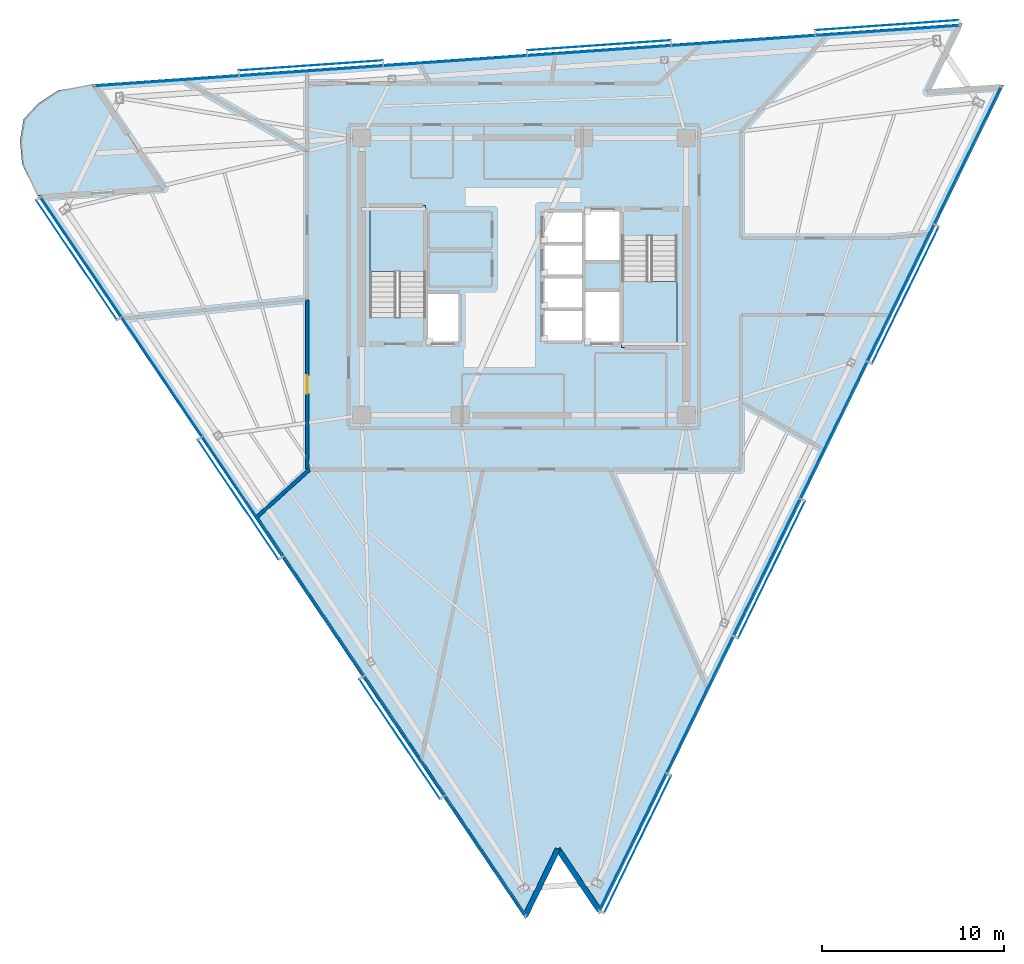
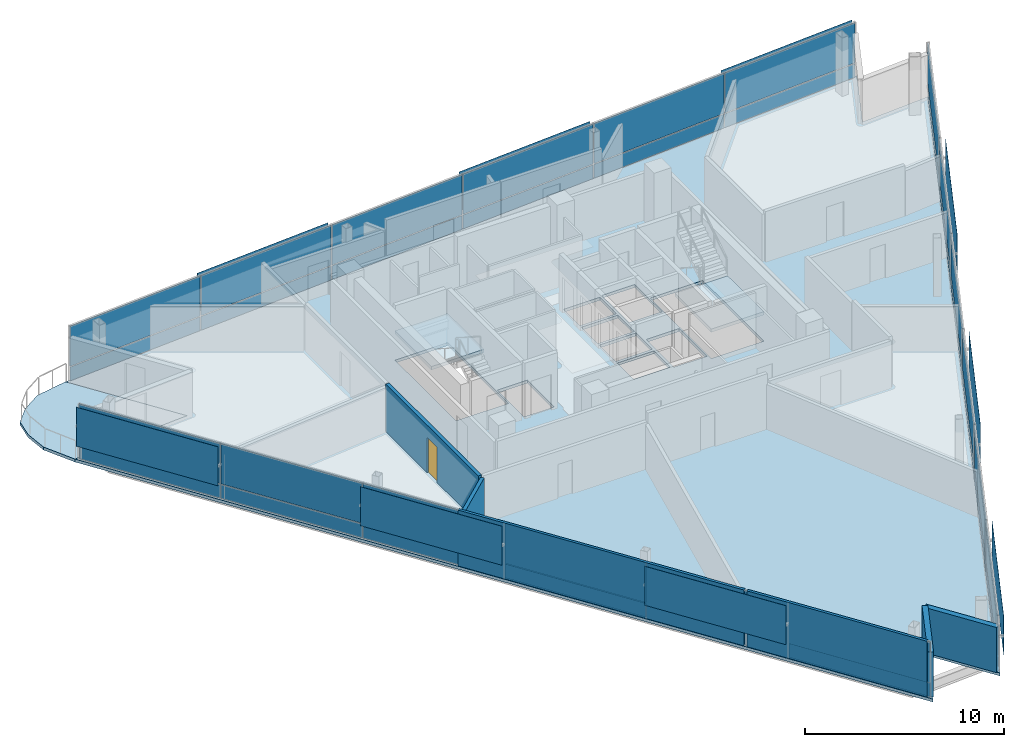
# One storey, part 8 of 16: 45 plates, 6 walls, 4 slabs, 1 door, 1 opening, 5 elements without a shape of their own.
"""IFC4 building model written with IfcOpenShell, lengths in metres."""

from ifc_helpers import new_model, si_unit, direction, frame, frame_2d, origin, origin_2d, place, context, subcontext, project, spatial, polyline, rectangle, outline, extrude, material, layer, layer_set, type_object, element, fill, aggregate, save


model = new_model("IFC4")

# Units and contexts
model_context = context("Model", 3, precision=1e-05, world=origin(), true_north=direction((0.0, 1.0)))
body_context = subcontext(model_context, "Body", "Model", "MODEL_VIEW")
ifc_project = project(units=[si_unit("LENGTHUNIT", "METRE"), si_unit("AREAUNIT", "SQUARE_METRE"), si_unit("VOLUMEUNIT", "CUBIC_METRE"), si_unit("PLANEANGLEUNIT", "RADIAN"), si_unit("MASSUNIT", "GRAM", prefix="KILO")], contexts=[model_context])

# Site, building, storey
site_placement = place(None, origin())
site = spatial("IfcSite", under=ifc_project, at=site_placement, CompositionType="ELEMENT")
building_placement = place(site_placement, origin())
building = spatial("IfcBuilding", under=site, at=building_placement, Name="Tharavind Bronze Gate", CompositionType="ELEMENT")
storey_placement = place(building_placement, frame((0.0, 0.0, 260.60009765625)))
storey = spatial("IfcBuildingStorey", under=building, at=storey_placement, Name="L67", CompositionType="ELEMENT", Elevation=260.60009765625)

# Plates
ifc_material_1 = material(Name="Perforated Bronze Alloy", Category="bronze")
ifc_layer_1 = layer(ifc_material_1, 0.011962890625)
ifc_layer_set_1 = layer_set([ifc_layer_1], Name="Perforated Bronze Alloy")
plate_type_1 = type_object("IfcPlateType", Name="BRONZE PERFORATED SOLAR SCREEN", PredefinedType="USERDEFINED", material=ifc_layer_set_1)
for number, where, z_axis, x_axis, name in (
    (1, (-24.528076171875, 0.904052734375, 0.96630859375), (0.0, 0.0, 1.0), (0.559191456526, -0.82903854853, 0.0), "CW-L67-S1 perforated bronze solar screen 1"),
    (2, (-15.670166015625, -12.228515625, 0.96630859375), (0.0, 0.0, 1.0), (0.559191456526, -0.82903854853, 0.0), "CW-L67-S1 perforated bronze solar screen 3"),
    (3, (-6.812255859375, -25.361083984375, 0.96630859375), (0.0, 0.0, 1.0), (0.559191456526, -0.82903854853, 0.0), "CW-L67-S1 perforated bronze solar screen 5"),
):
    element("IfcPlate", number, at=place(storey_placement, frame(where, z_axis=z_axis, x_axis=x_axis)), inside=storey, type_object=plate_type_1, Name=name, ObjectType="SCREEN", PredefinedType="USERDEFINED", context=body_context, shape_type="SweptSolid", body=[
        extrude(rectangle(XDim=7.900390625, YDim=0.011962890625, at=origin_2d()), origin(), (0.0, 0.0, 1.0), 2.386962890625),
    ])
for number, where, z_axis, x_axis, name in (
    (4, (6.234130859375, -31.12841796875, 0.96630859375), (0.0, 0.0, 1.0), (0.43837271548, 0.898793281196, 0.0), "CW-L67-S2 perforated bronze solar screen 1"),
    (5, (13.57470703125, -16.078369140625, 0.96630859375), (0.0, 0.0, 1.0), (0.43837271548, 0.898793281196, 0.0), "CW-L67-S2 perforated bronze solar screen 3"),
    (6, (20.9150390625, -1.0283203125, 0.96630859375), (0.0, 0.0, 1.0), (0.43837271548, 0.898793281196, 0.0), "CW-L67-S2 perforated bronze solar screen 5"),
):
    element("IfcPlate", number, at=place(storey_placement, frame(where, z_axis=z_axis, x_axis=x_axis)), inside=storey, type_object=plate_type_1, Name=name, ObjectType="SCREEN", PredefinedType="USERDEFINED", context=body_context, shape_type="SweptSolid", body=[
        extrude(rectangle(XDim=8.352294921875, YDim=0.011962890625, at=origin_2d()), origin(), (0.0, 0.0, 1.0), 2.386962890625),
    ])
for number, where, z_axis, x_axis, name in (
    (7, (19.909423828125, 13.779052734375, 0.96630859375), (0.0, 0.0, 1.0), (-0.997563806758, -0.069759955899, 0.0), "CW-L67-S3 perforated bronze solar screen 1"),
    (8, (4.107421875, 12.674072265625, 0.96630859375), (0.0, 0.0, 1.0), (-0.997563806758, -0.069759955899, 0.0), "CW-L67-S3 perforated bronze solar screen 3"),
    (9, (-11.69482421875, 11.569091796875, 0.96630859375), (0.0, 0.0, 1.0), (-0.997563806758, -0.069759955899, 0.0), "CW-L67-S3 perforated bronze solar screen 5"),
):
    element("IfcPlate", number, at=place(storey_placement, frame(where, z_axis=z_axis, x_axis=x_axis)), inside=storey, type_object=plate_type_1, Name=name, ObjectType="SCREEN", PredefinedType="USERDEFINED", context=body_context, shape_type="SweptSolid", body=[
        extrude(rectangle(XDim=7.900390625, YDim=0.011962890625, at=origin_2d()), origin(), (0.0, 0.0, 1.0), 2.386962890625),
    ])

# Curtain wall, plates
ifc_material_2 = material(Name="Anodised Bronze Aluminium", Category="aluminium")
ifc_layer_2 = layer(ifc_material_2, 0.219970703125)
ifc_layer_set_2 = layer_set([ifc_layer_2], Name="Anodised Bronze Aluminium")
curtain_wall_type = type_object("IfcCurtainWallType", Name="UNITISED CURTAIN WALL UPPER OFFICE", PredefinedType="USERDEFINED", material=ifc_layer_set_2)
curtain_wall_1_placement = place(storey_placement, origin())
curtain_wall_1 = element("IfcCurtainWall", 10, at=curtain_wall_1_placement, inside=storey, type_object=curtain_wall_type, Name="L67 unitised curtain wall upper office CW-L67-S1", ObjectType="UNITISED CURTAIN WALL", PredefinedType="USERDEFINED")
ifc_material_3 = material(Name="Patinated Bronze Alloy Sheet", Category="bronze")
ifc_layer_3 = layer(ifc_material_3, 0.01611328125)
ifc_layer_set_3 = layer_set([ifc_layer_3], Name="Patinated Bronze Alloy Sheet")
plate_type_2 = type_object("IfcPlateType", Name="BRONZE SPANDREL CLADDING PANEL 16", PredefinedType="CURTAIN_PANEL", material=ifc_layer_set_3)
plate_1_placement = place(storey_placement, frame((-24.283447265625, 1.069091796875, 0.0263671875), z_axis=(0.0, 0.0, 1.0), x_axis=(0.559191456526, -0.82903854853, 0.0)))
plate_1 = element("IfcPlate", 11, at=plate_1_placement, type_object=plate_type_2, Name="CW-L67-S1 bronze spandrel panel 1", PredefinedType="CURTAIN_PANEL", context=body_context, shape_type="SweptSolid", body=[
    extrude(rectangle(XDim=7.8671875, YDim=0.01611328125, at=origin_2d()), origin(), (0.0, 0.0, 1.0), 0.846923828125),
])
plate_2_placement = place(storey_placement, frame((-19.8544921875, -5.497314453125, 0.0263671875), z_axis=(0.0, 0.0, 1.0), x_axis=(0.559191456526, -0.82903854853, 0.0)))
plate_2 = element("IfcPlate", 12, at=plate_2_placement, type_object=plate_type_2, Name="CW-L67-S1 bronze spandrel panel 2", PredefinedType="CURTAIN_PANEL", context=body_context, shape_type="SweptSolid", body=[
    extrude(rectangle(XDim=7.8671875, YDim=0.01611328125, at=origin_2d()), origin(), (0.0, 0.0, 1.0), 0.846923828125),
])
plate_3_placement = place(storey_placement, frame((-15.425537109375, -12.0634765625, 0.0263671875), z_axis=(0.0, 0.0, 1.0), x_axis=(0.559191456526, -0.82903854853, 0.0)))
plate_3 = element("IfcPlate", 13, at=plate_3_placement, type_object=plate_type_2, Name="CW-L67-S1 bronze spandrel panel 3", PredefinedType="CURTAIN_PANEL", context=body_context, shape_type="SweptSolid", body=[
    extrude(rectangle(XDim=7.8671875, YDim=0.01611328125, at=origin_2d()), origin(), (0.0, 0.0, 1.0), 0.846923828125),
])
plate_4_placement = place(storey_placement, frame((-10.99658203125, -18.629638671875, 0.0263671875), z_axis=(0.0, 0.0, 1.0), x_axis=(0.559191456526, -0.82903854853, 0.0)))
plate_4 = element("IfcPlate", 14, at=plate_4_placement, type_object=plate_type_2, Name="CW-L67-S1 bronze spandrel panel 4", PredefinedType="CURTAIN_PANEL", context=body_context, shape_type="SweptSolid", body=[
    extrude(rectangle(XDim=7.8671875, YDim=0.01611328125, at=origin_2d()), origin(), (0.0, 0.0, 1.0), 0.846923828125),
])
plate_5_placement = place(storey_placement, frame((-6.567626953125, -25.196044921875, 0.0263671875), z_axis=(0.0, 0.0, 1.0), x_axis=(0.559191456526, -0.82903854853, 0.0)))
plate_5 = element("IfcPlate", 15, at=plate_5_placement, type_object=plate_type_2, Name="CW-L67-S1 bronze spandrel panel 5", PredefinedType="CURTAIN_PANEL", context=body_context, shape_type="SweptSolid", body=[
    extrude(rectangle(XDim=7.8671875, YDim=0.01611328125, at=origin_2d()), origin(), (0.0, 0.0, 1.0), 0.846923828125),
])
plate_6_placement = place(storey_placement, frame((-2.138671875, -31.76220703125, 0.0263671875), z_axis=(0.0, 0.0, 1.0), x_axis=(0.559191456526, -0.82903854853, 0.0)))
plate_6 = element("IfcPlate", 16, at=plate_6_placement, type_object=plate_type_2, Name="CW-L67-S1 bronze spandrel panel 6", PredefinedType="CURTAIN_PANEL", context=body_context, shape_type="SweptSolid", body=[
    extrude(rectangle(XDim=7.8671875, YDim=0.01611328125, at=origin_2d()), origin(), (0.0, 0.0, 1.0), 0.846923828125),
])

curtain_wall_2_placement = place(storey_placement, origin())
curtain_wall_2 = element("IfcCurtainWall", 17, at=curtain_wall_2_placement, inside=storey, type_object=curtain_wall_type, Name="L67 unitised curtain wall upper office CW-L67-S2", ObjectType="UNITISED CURTAIN WALL", PredefinedType="USERDEFINED")
plate_7_placement = place(storey_placement, frame((5.968994140625, -30.9990234375, 0.0263671875), z_axis=(0.0, 0.0, 1.0), x_axis=(0.43837271548, 0.898793281196, 0.0)))
plate_7 = element("IfcPlate", 18, at=plate_7_placement, type_object=plate_type_2, Name="CW-L67-S2 bronze spandrel panel 1", PredefinedType="CURTAIN_PANEL", context=body_context, shape_type="SweptSolid", body=[
    extrude(rectangle(XDim=8.3193359375, YDim=0.01611328125, at=origin_2d()), origin(), (0.0, 0.0, 1.0), 0.846923828125),
])
plate_8_placement = place(storey_placement, frame((9.639404296875, -23.47412109375, 0.0263671875), z_axis=(0.0, 0.0, 1.0), x_axis=(0.43837271548, 0.898793281196, 0.0)))
plate_8 = element("IfcPlate", 19, at=plate_8_placement, type_object=plate_type_2, Name="CW-L67-S2 bronze spandrel panel 2", PredefinedType="CURTAIN_PANEL", context=body_context, shape_type="SweptSolid", body=[
    extrude(rectangle(XDim=8.3193359375, YDim=0.01611328125, at=origin_2d()), origin(), (0.0, 0.0, 1.0), 0.846923828125),
])
plate_9_placement = place(storey_placement, frame((13.3095703125, -15.94921875, 0.0263671875), z_axis=(0.0, 0.0, 1.0), x_axis=(0.43837271548, 0.898793281196, 0.0)))
plate_9 = element("IfcPlate", 20, at=plate_9_placement, type_object=plate_type_2, Name="CW-L67-S2 bronze spandrel panel 3", PredefinedType="CURTAIN_PANEL", context=body_context, shape_type="SweptSolid", body=[
    extrude(rectangle(XDim=8.3193359375, YDim=0.01611328125, at=origin_2d()), origin(), (0.0, 0.0, 1.0), 0.846923828125),
])
plate_10_placement = place(storey_placement, frame((16.979736328125, -8.424072265625, 0.0263671875), z_axis=(0.0, 0.0, 1.0), x_axis=(0.43837271548, 0.898793281196, 0.0)))
plate_10 = element("IfcPlate", 21, at=plate_10_placement, type_object=plate_type_2, Name="CW-L67-S2 bronze spandrel panel 4", PredefinedType="CURTAIN_PANEL", context=body_context, shape_type="SweptSolid", body=[
    extrude(rectangle(XDim=8.3193359375, YDim=0.01611328125, at=origin_2d()), origin(), (0.0, 0.0, 1.0), 0.846923828125),
])
plate_11_placement = place(storey_placement, frame((20.64990234375, -0.89892578125, 0.0263671875), z_axis=(0.0, 0.0, 1.0), x_axis=(0.43837271548, 0.898793281196, 0.0)))
plate_11 = element("IfcPlate", 22, at=plate_11_placement, type_object=plate_type_2, Name="CW-L67-S2 bronze spandrel panel 5", PredefinedType="CURTAIN_PANEL", context=body_context, shape_type="SweptSolid", body=[
    extrude(rectangle(XDim=8.3193359375, YDim=0.01611328125, at=origin_2d()), origin(), (0.0, 0.0, 1.0), 0.846923828125),
])
plate_12_placement = place(storey_placement, frame((24.3203125, 6.6259765625, 0.0263671875), z_axis=(0.0, 0.0, 1.0), x_axis=(0.43837271548, 0.898793281196, 0.0)))
plate_12 = element("IfcPlate", 23, at=plate_12_placement, type_object=plate_type_2, Name="CW-L67-S2 bronze spandrel panel 6", PredefinedType="CURTAIN_PANEL", context=body_context, shape_type="SweptSolid", body=[
    extrude(rectangle(XDim=8.3193359375, YDim=0.01611328125, at=origin_2d()), origin(), (0.0, 0.0, 1.0), 0.846923828125),
])

curtain_wall_3_placement = place(storey_placement, origin())
curtain_wall_3 = element("IfcCurtainWall", 24, at=curtain_wall_3_placement, inside=storey, type_object=curtain_wall_type, Name="L67 unitised curtain wall upper office CW-L67-S3", ObjectType="UNITISED CURTAIN WALL", PredefinedType="USERDEFINED")
plate_13_placement = place(storey_placement, frame((19.929931640625, 13.48486328125, 0.0263671875), z_axis=(0.0, 0.0, 1.0), x_axis=(-0.997563806758, -0.069759955899, 0.0)))
plate_13 = element("IfcPlate", 25, at=plate_13_placement, type_object=plate_type_2, Name="CW-L67-S3 bronze spandrel panel 1", PredefinedType="CURTAIN_PANEL", context=body_context, shape_type="SweptSolid", body=[
    extrude(rectangle(XDim=7.8671875, YDim=0.01611328125, at=origin_2d()), origin(), (0.0, 0.0, 1.0), 0.846923828125),
])
plate_14_placement = place(storey_placement, frame((12.02880859375, 12.932373046875, 0.0263671875), z_axis=(0.0, 0.0, 1.0), x_axis=(-0.997563806758, -0.069759955899, 0.0)))
plate_14 = element("IfcPlate", 26, at=plate_14_placement, type_object=plate_type_2, Name="CW-L67-S3 bronze spandrel panel 2", PredefinedType="CURTAIN_PANEL", context=body_context, shape_type="SweptSolid", body=[
    extrude(rectangle(XDim=7.8671875, YDim=0.01611328125, at=origin_2d()), origin(), (0.0, 0.0, 1.0), 0.846923828125),
])
plate_15_placement = place(storey_placement, frame((4.1279296875, 12.3798828125, 0.0263671875), z_axis=(0.0, 0.0, 1.0), x_axis=(-0.997563806758, -0.069759955899, 0.0)))
plate_15 = element("IfcPlate", 27, at=plate_15_placement, type_object=plate_type_2, Name="CW-L67-S3 bronze spandrel panel 3", PredefinedType="CURTAIN_PANEL", context=body_context, shape_type="SweptSolid", body=[
    extrude(rectangle(XDim=7.8671875, YDim=0.01611328125, at=origin_2d()), origin(), (0.0, 0.0, 1.0), 0.846923828125),
])
plate_16_placement = place(storey_placement, frame((-3.773193359375, 11.827392578125, 0.0263671875), z_axis=(0.0, 0.0, 1.0), x_axis=(-0.997563806758, -0.069759955899, 0.0)))
plate_16 = element("IfcPlate", 28, at=plate_16_placement, type_object=plate_type_2, Name="CW-L67-S3 bronze spandrel panel 4", PredefinedType="CURTAIN_PANEL", context=body_context, shape_type="SweptSolid", body=[
    extrude(rectangle(XDim=7.8671875, YDim=0.01611328125, at=origin_2d()), origin(), (0.0, 0.0, 1.0), 0.846923828125),
])
plate_17_placement = place(storey_placement, frame((-11.67431640625, 11.27490234375, 0.0263671875), z_axis=(0.0, 0.0, 1.0), x_axis=(-0.997563806758, -0.069759955899, 0.0)))
plate_17 = element("IfcPlate", 29, at=plate_17_placement, type_object=plate_type_2, Name="CW-L67-S3 bronze spandrel panel 5", PredefinedType="CURTAIN_PANEL", context=body_context, shape_type="SweptSolid", body=[
    extrude(rectangle(XDim=7.8671875, YDim=0.01611328125, at=origin_2d()), origin(), (0.0, 0.0, 1.0), 0.846923828125),
])
plate_18_placement = place(storey_placement, frame((-19.5751953125, 10.722412109375, 0.0263671875), z_axis=(0.0, 0.0, 1.0), x_axis=(-0.997563806758, -0.069759955899, 0.0)))
plate_18 = element("IfcPlate", 30, at=plate_18_placement, type_object=plate_type_2, Name="CW-L67-S3 bronze spandrel panel 6", PredefinedType="CURTAIN_PANEL", context=body_context, shape_type="SweptSolid", body=[
    extrude(rectangle(XDim=7.8671875, YDim=0.01611328125, at=origin_2d()), origin(), (0.0, 0.0, 1.0), 0.846923828125),
])

# Slab
ifc_material_4 = material(Name="Concrete C40/50", Category="concrete")
ifc_layer_4 = layer(ifc_material_4, 0.179931640625)
ifc_layer_set_4 = layer_set([ifc_layer_4], Name="Concrete C40/50")
slab_type_1 = type_object("IfcSlabType", Name="EXTERIOR BALCONY SLAB 180", PredefinedType="FLOOR", material=ifc_layer_set_4)
slab_1_placement = place(storey_placement, frame((0.0, 0.0, -0.18017578125)))
element("IfcSlab", 31, at=slab_1_placement, inside=storey, type_object=slab_type_1, Name="L67 northeast tree balcony slab", PredefinedType="FLOOR", context=body_context, shape_type="SweptSolid", body=[
    extrude(outline(polyline([(-25.535888671875, 10.203125), (-26.644287109375, 9.48681640625), (-27.443359375, 8.618896484375), (-27.63525390625, 7.455322265625), (-27.51708984375, 6.140625), (-26.677734375, 4.43994140625), (-19.914306640625, 4.912841796875), (-23.70556640625, 10.53369140625), (-25.535888671875, 10.203125)])), origin(), (0.0, 0.0, 1.0), 0.18017578125),
])

# Stair, slab
stair_type = type_object("IfcStairType", Name="CORE HALF TURN STAIR 1450", PredefinedType="HALF_TURN_STAIR", material=ifc_material_4)
stair_1_placement = place(storey_placement, origin())
stair_1 = element("IfcStair", 32, at=stair_1_placement, inside=storey, type_object=stair_type, Name="L67 Protected Exit Stair ST1", PredefinedType="HALF_TURN_STAIR")
ifc_layer_5 = layer(ifc_material_4, 0.199951171875)
ifc_layer_set_5 = layer_set([ifc_layer_5], Name="Concrete C40/50")
slab_type_2 = type_object("IfcSlabType", Name="STAIR LANDING SLAB 200", PredefinedType="LANDING", material=ifc_layer_set_5)
slab_2_placement = place(storey_placement, frame((0.0, 0.0, 1.599853515625)))
slab_2 = element("IfcSlab", 33, at=slab_2_placement, type_object=slab_type_2, Name="ST1 landing 1", PredefinedType="LANDING", context=body_context, shape_type="SweptSolid", body=[
    extrude(outline(polyline([(-5.39990234375, 0.27001953125), (-5.39990234375, 3.89990234375), (-8.449951171875, 3.89990234375), (-8.449951171875, 0.27001953125), (-5.39990234375, 0.27001953125)])), origin(), (0.0, 0.0, 1.0), 0.199951171875),
])
aggregate(stair_1, [slab_2])

stair_2_placement = place(storey_placement, origin())
stair_2 = element("IfcStair", 34, at=stair_2_placement, inside=storey, type_object=stair_type, Name="L67 Protected Exit Stair ST2", PredefinedType="HALF_TURN_STAIR")
slab_3_placement = place(storey_placement, frame((0.0, 0.0, 1.599853515625)))
slab_3 = element("IfcSlab", 35, at=slab_3_placement, type_object=slab_type_2, Name="ST2 landing 1", PredefinedType="LANDING", context=body_context, shape_type="SweptSolid", body=[
    extrude(outline(polyline([(5.35009765625, -0.27001953125), (5.35009765625, -3.89990234375), (8.39990234375, -3.89990234375), (8.39990234375, -0.27001953125), (5.35009765625, -0.27001953125)])), origin(), (0.0, 0.0, 1.0), 0.199951171875),
])
aggregate(stair_2, [slab_3])

# Slab
ifc_layer_6 = layer(ifc_material_4, 0.179931640625)
ifc_layer_set_6 = layer_set([ifc_layer_6], Name="Concrete C40/50")
slab_type_3 = type_object("IfcSlabType", Name="STRUCTURAL FLOOR SLAB 180", PredefinedType="FLOOR", material=ifc_layer_set_6)
slab_4_placement = place(storey_placement, frame((0.0, 0.0, -0.18017578125)))
element("IfcSlab", 36, at=slab_4_placement, inside=storey, type_object=slab_type_3, Name="L67 main structural floor slab", PredefinedType="FLOOR", context=body_context, shape_type="SweptSolid", body=[
    extrude(outline(polyline([(-23.70556640625, 10.53369140625), (-19.914306640625, 4.912841796875), (-26.677734375, 4.43994140625), (0.08984375, -35.244873046875), (1.873291015625, -31.588623046875), (4.14794921875, -34.961181640625), (26.321044921875, 10.500244140625), (22.262939453125, 10.216552734375), (24.04638671875, 13.872802734375), (-23.70556640625, 10.53369140625)]), holes=[polyline([(-5.39990234375, -2.215087890625), (-5.39990234375, 3.89990234375), (-8.449951171875, 3.89990234375), (-8.449951171875, -2.215087890625), (-5.39990234375, -2.215087890625)]), polyline([(5.35009765625, 2.215087890625), (5.35009765625, -3.89990234375), (8.39990234375, -3.89990234375), (8.39990234375, 2.215087890625), (5.35009765625, 2.215087890625)]), polyline([(1.080078125, -3.52001953125), (3.199951171875, -3.52001953125), (3.199951171875, -1.8798828125), (1.080078125, -1.8798828125), (1.080078125, -3.52001953125)]), polyline([(1.080078125, -1.719970703125), (3.199951171875, -1.719970703125), (3.199951171875, -0.080078125), (1.080078125, -0.080078125), (1.080078125, -1.719970703125)]), polyline([(1.080078125, 0.080078125), (3.199951171875, 0.080078125), (3.199951171875, 1.719970703125), (1.080078125, 1.719970703125), (1.080078125, 0.080078125)]), polyline([(1.080078125, 1.8798828125), (3.199951171875, 1.8798828125), (3.199951171875, 3.52001953125), (1.080078125, 3.52001953125), (1.080078125, 1.8798828125)]), polyline([(-5.320068359375, -3.6201171875), (-3.580078125, -3.6201171875), (-3.580078125, -0.929931640625), (-5.320068359375, -0.929931640625), (-5.320068359375, -3.6201171875)]), polyline([(3.360107421875, 0.8798828125), (5.27001953125, 0.8798828125), (5.27001953125, 3.6201171875), (3.360107421875, 3.6201171875), (3.360107421875, 0.8798828125)]), polyline([(3.360107421875, -3.6201171875), (5.27001953125, -3.6201171875), (5.27001953125, -0.830078125), (3.360107421875, -0.830078125), (3.360107421875, -3.6201171875)])]), origin(), (0.0, 0.0, 1.0), 0.18017578125),
])

# Plate
ifc_material_5 = material(Name="Triple Solar Control Glazing", Category="glass")
ifc_layer_7 = layer(ifc_material_5, 0.0439453125)
ifc_layer_set_7 = layer_set([ifc_layer_7], Name="Triple Solar Control Glazing")
plate_type_3 = type_object("IfcPlateType", Name="TRIPLE GLAZED FACADE PANEL 44", PredefinedType="CURTAIN_PANEL", material=ifc_layer_set_7)
plate_19_placement = place(storey_placement, frame((-24.283447265625, 1.069091796875, 0.92626953125), z_axis=(0.0, 0.0, 1.0), x_axis=(0.559191456526, -0.82903854853, 0.0)))
plate_19 = element("IfcPlate", 37, at=plate_19_placement, type_object=plate_type_3, Name="CW-L67-S1 vision glazing panel 1", PredefinedType="CURTAIN_PANEL", context=body_context, shape_type="SweptSolid", body=[
    extrude(rectangle(XDim=7.8671875, YDim=0.0439453125, at=origin_2d()), origin(), (0.0, 0.0, 1.0), 2.467041015625),
])

plate_20_placement = place(storey_placement, frame((-19.8544921875, -5.497314453125, 0.92626953125), z_axis=(0.0, 0.0, 1.0), x_axis=(0.559191456526, -0.82903854853, 0.0)))
plate_20 = element("IfcPlate", 38, at=plate_20_placement, type_object=plate_type_3, Name="CW-L67-S1 vision glazing panel 2", PredefinedType="CURTAIN_PANEL", context=body_context, shape_type="SweptSolid", body=[
    extrude(rectangle(XDim=7.8671875, YDim=0.0439453125, at=origin_2d()), origin(), (0.0, 0.0, 1.0), 2.467041015625),
])

plate_21_placement = place(storey_placement, frame((-15.425537109375, -12.0634765625, 0.92626953125), z_axis=(0.0, 0.0, 1.0), x_axis=(0.559191456526, -0.82903854853, 0.0)))
plate_21 = element("IfcPlate", 39, at=plate_21_placement, type_object=plate_type_3, Name="CW-L67-S1 vision glazing panel 3", PredefinedType="CURTAIN_PANEL", context=body_context, shape_type="SweptSolid", body=[
    extrude(rectangle(XDim=7.8671875, YDim=0.0439453125, at=origin_2d()), origin(), (0.0, 0.0, 1.0), 2.467041015625),
])

plate_22_placement = place(storey_placement, frame((-10.99658203125, -18.629638671875, 0.92626953125), z_axis=(0.0, 0.0, 1.0), x_axis=(0.559191456526, -0.82903854853, 0.0)))
plate_22 = element("IfcPlate", 40, at=plate_22_placement, type_object=plate_type_3, Name="CW-L67-S1 vision glazing panel 4", PredefinedType="CURTAIN_PANEL", context=body_context, shape_type="SweptSolid", body=[
    extrude(rectangle(XDim=7.8671875, YDim=0.0439453125, at=origin_2d()), origin(), (0.0, 0.0, 1.0), 2.467041015625),
])

plate_23_placement = place(storey_placement, frame((-6.567626953125, -25.196044921875, 0.92626953125), z_axis=(0.0, 0.0, 1.0), x_axis=(0.559191456526, -0.82903854853, 0.0)))
plate_23 = element("IfcPlate", 41, at=plate_23_placement, type_object=plate_type_3, Name="CW-L67-S1 vision glazing panel 5", PredefinedType="CURTAIN_PANEL", context=body_context, shape_type="SweptSolid", body=[
    extrude(rectangle(XDim=7.8671875, YDim=0.0439453125, at=origin_2d()), origin(), (0.0, 0.0, 1.0), 2.467041015625),
])

plate_24_placement = place(storey_placement, frame((-2.138671875, -31.76220703125, 0.92626953125), z_axis=(0.0, 0.0, 1.0), x_axis=(0.559191456526, -0.82903854853, 0.0)))
plate_24 = element("IfcPlate", 42, at=plate_24_placement, type_object=plate_type_3, Name="CW-L67-S1 vision glazing panel 6", PredefinedType="CURTAIN_PANEL", context=body_context, shape_type="SweptSolid", body=[
    extrude(rectangle(XDim=7.8671875, YDim=0.0439453125, at=origin_2d()), origin(), (0.0, 0.0, 1.0), 2.467041015625),
])

aggregate(curtain_wall_1, [plate_1, plate_19, plate_2, plate_20, plate_3, plate_21, plate_4, plate_22, plate_5, plate_23, plate_6, plate_24])

plate_25_placement = place(storey_placement, frame((5.968994140625, -30.9990234375, 0.92626953125), z_axis=(0.0, 0.0, 1.0), x_axis=(0.43837271548, 0.898793281196, 0.0)))
plate_25 = element("IfcPlate", 43, at=plate_25_placement, type_object=plate_type_3, Name="CW-L67-S2 vision glazing panel 1", PredefinedType="CURTAIN_PANEL", context=body_context, shape_type="SweptSolid", body=[
    extrude(rectangle(XDim=8.3193359375, YDim=0.0439453125, at=origin_2d()), origin(), (0.0, 0.0, 1.0), 2.467041015625),
])

plate_26_placement = place(storey_placement, frame((9.639404296875, -23.47412109375, 0.92626953125), z_axis=(0.0, 0.0, 1.0), x_axis=(0.43837271548, 0.898793281196, 0.0)))
plate_26 = element("IfcPlate", 44, at=plate_26_placement, type_object=plate_type_3, Name="CW-L67-S2 vision glazing panel 2", PredefinedType="CURTAIN_PANEL", context=body_context, shape_type="SweptSolid", body=[
    extrude(rectangle(XDim=8.3193359375, YDim=0.0439453125, at=origin_2d()), origin(), (0.0, 0.0, 1.0), 2.467041015625),
])

plate_27_placement = place(storey_placement, frame((13.3095703125, -15.94921875, 0.92626953125), z_axis=(0.0, 0.0, 1.0), x_axis=(0.43837271548, 0.898793281196, 0.0)))
plate_27 = element("IfcPlate", 45, at=plate_27_placement, type_object=plate_type_3, Name="CW-L67-S2 vision glazing panel 3", PredefinedType="CURTAIN_PANEL", context=body_context, shape_type="SweptSolid", body=[
    extrude(rectangle(XDim=8.3193359375, YDim=0.0439453125, at=origin_2d()), origin(), (0.0, 0.0, 1.0), 2.467041015625),
])

plate_28_placement = place(storey_placement, frame((16.979736328125, -8.424072265625, 0.92626953125), z_axis=(0.0, 0.0, 1.0), x_axis=(0.43837271548, 0.898793281196, 0.0)))
plate_28 = element("IfcPlate", 46, at=plate_28_placement, type_object=plate_type_3, Name="CW-L67-S2 vision glazing panel 4", PredefinedType="CURTAIN_PANEL", context=body_context, shape_type="SweptSolid", body=[
    extrude(rectangle(XDim=8.3193359375, YDim=0.0439453125, at=origin_2d()), origin(), (0.0, 0.0, 1.0), 2.467041015625),
])

plate_29_placement = place(storey_placement, frame((20.64990234375, -0.89892578125, 0.92626953125), z_axis=(0.0, 0.0, 1.0), x_axis=(0.43837271548, 0.898793281196, 0.0)))
plate_29 = element("IfcPlate", 47, at=plate_29_placement, type_object=plate_type_3, Name="CW-L67-S2 vision glazing panel 5", PredefinedType="CURTAIN_PANEL", context=body_context, shape_type="SweptSolid", body=[
    extrude(rectangle(XDim=8.3193359375, YDim=0.0439453125, at=origin_2d()), origin(), (0.0, 0.0, 1.0), 2.467041015625),
])

plate_30_placement = place(storey_placement, frame((24.3203125, 6.6259765625, 0.92626953125), z_axis=(0.0, 0.0, 1.0), x_axis=(0.43837271548, 0.898793281196, 0.0)))
plate_30 = element("IfcPlate", 48, at=plate_30_placement, type_object=plate_type_3, Name="CW-L67-S2 vision glazing panel 6", PredefinedType="CURTAIN_PANEL", context=body_context, shape_type="SweptSolid", body=[
    extrude(rectangle(XDim=8.3193359375, YDim=0.0439453125, at=origin_2d()), origin(), (0.0, 0.0, 1.0), 2.467041015625),
])

aggregate(curtain_wall_2, [plate_7, plate_25, plate_8, plate_26, plate_9, plate_27, plate_10, plate_28, plate_11, plate_29, plate_12, plate_30])

plate_31_placement = place(storey_placement, frame((19.929931640625, 13.48486328125, 0.92626953125), z_axis=(0.0, 0.0, 1.0), x_axis=(-0.997563806758, -0.069759955899, 0.0)))
plate_31 = element("IfcPlate", 49, at=plate_31_placement, type_object=plate_type_3, Name="CW-L67-S3 vision glazing panel 1", PredefinedType="CURTAIN_PANEL", context=body_context, shape_type="SweptSolid", body=[
    extrude(rectangle(XDim=7.8671875, YDim=0.0439453125, at=origin_2d()), origin(), (0.0, 0.0, 1.0), 2.467041015625),
])

plate_32_placement = place(storey_placement, frame((12.02880859375, 12.932373046875, 0.92626953125), z_axis=(0.0, 0.0, 1.0), x_axis=(-0.997563806758, -0.069759955899, 0.0)))
plate_32 = element("IfcPlate", 50, at=plate_32_placement, type_object=plate_type_3, Name="CW-L67-S3 vision glazing panel 2", PredefinedType="CURTAIN_PANEL", context=body_context, shape_type="SweptSolid", body=[
    extrude(rectangle(XDim=7.8671875, YDim=0.0439453125, at=origin_2d()), origin(), (0.0, 0.0, 1.0), 2.467041015625),
])

plate_33_placement = place(storey_placement, frame((4.1279296875, 12.3798828125, 0.92626953125), z_axis=(0.0, 0.0, 1.0), x_axis=(-0.997563806758, -0.069759955899, 0.0)))
plate_33 = element("IfcPlate", 51, at=plate_33_placement, type_object=plate_type_3, Name="CW-L67-S3 vision glazing panel 3", PredefinedType="CURTAIN_PANEL", context=body_context, shape_type="SweptSolid", body=[
    extrude(rectangle(XDim=7.8671875, YDim=0.0439453125, at=origin_2d()), origin(), (0.0, 0.0, 1.0), 2.467041015625),
])

plate_34_placement = place(storey_placement, frame((-3.773193359375, 11.827392578125, 0.92626953125), z_axis=(0.0, 0.0, 1.0), x_axis=(-0.997563806758, -0.069759955899, 0.0)))
plate_34 = element("IfcPlate", 52, at=plate_34_placement, type_object=plate_type_3, Name="CW-L67-S3 vision glazing panel 4", PredefinedType="CURTAIN_PANEL", context=body_context, shape_type="SweptSolid", body=[
    extrude(rectangle(XDim=7.8671875, YDim=0.0439453125, at=origin_2d()), origin(), (0.0, 0.0, 1.0), 2.467041015625),
])

plate_35_placement = place(storey_placement, frame((-11.67431640625, 11.27490234375, 0.92626953125), z_axis=(0.0, 0.0, 1.0), x_axis=(-0.997563806758, -0.069759955899, 0.0)))
plate_35 = element("IfcPlate", 53, at=plate_35_placement, type_object=plate_type_3, Name="CW-L67-S3 vision glazing panel 5", PredefinedType="CURTAIN_PANEL", context=body_context, shape_type="SweptSolid", body=[
    extrude(rectangle(XDim=7.8671875, YDim=0.0439453125, at=origin_2d()), origin(), (0.0, 0.0, 1.0), 2.467041015625),
])

plate_36_placement = place(storey_placement, frame((-19.5751953125, 10.722412109375, 0.92626953125), z_axis=(0.0, 0.0, 1.0), x_axis=(-0.997563806758, -0.069759955899, 0.0)))
plate_36 = element("IfcPlate", 54, at=plate_36_placement, type_object=plate_type_3, Name="CW-L67-S3 vision glazing panel 6", PredefinedType="CURTAIN_PANEL", context=body_context, shape_type="SweptSolid", body=[
    extrude(rectangle(XDim=7.8671875, YDim=0.0439453125, at=origin_2d()), origin(), (0.0, 0.0, 1.0), 2.467041015625),
])

aggregate(curtain_wall_3, [plate_13, plate_31, plate_14, plate_32, plate_15, plate_33, plate_16, plate_34, plate_17, plate_35, plate_18, plate_36])

# Walls
ifc_layer_8 = layer(ifc_material_4, 0.300048828125)
ifc_layer_set_8 = layer_set([ifc_layer_8], Name="Concrete C40/50")
wall_type_1 = type_object("IfcWallType", Name="EXTERIOR SPANDREL WALL 300", PredefinedType="STANDARD", material=ifc_layer_set_8)
wall_1_placement = place(storey_placement, frame((0.075927734375, -35.04541015625, 0.0), z_axis=(0.0, 0.0, 1.0), x_axis=(0.438357414153, 0.898800744024, 0.0)))
element("IfcWall", 55, at=wall_1_placement, inside=storey, type_object=wall_type_1, Name="L67 notch cheek wall 2A", PredefinedType="STANDARD", context=body_context, shape_type="SweptSolid", body=[
    extrude(rectangle(XDim=4.06787109375, YDim=0.300048828125, at=frame_2d((2.033935546875, 0.0))), origin(), (0.0, 0.0, 1.0), 2.764892578125),
])
wall_2_placement = place(storey_placement, frame((1.859130859375, -31.38916015625, 0.0), z_axis=(0.0, 0.0, 1.0), x_axis=(0.559206900681, -0.829028131145, 0.0)))
element("IfcWall", 56, at=wall_2_placement, inside=storey, type_object=wall_type_1, Name="L67 notch cheek wall 2B", PredefinedType="STANDARD", context=body_context, shape_type="SweptSolid", body=[
    extrude(rectangle(XDim=4.068115234375, YDim=0.300048828125, at=frame_2d((2.0341796875, 0.0))), origin(), (0.0, 0.0, 1.0), 2.764892578125),
])
ifc_material_6 = material(Name="Aerated Concrete Block", Category="concrete")
ifc_layer_9 = layer(ifc_material_6, 0.199951171875)
ifc_layer_set_9 = layer_set([ifc_layer_9], Name="Aerated Concrete Block")
wall_type_2 = type_object("IfcWallType", Name="FIRE RATED PARTITION 200", PredefinedType="PARTITIONING", material=ifc_layer_set_9)
wall_3_placement = place(storey_placement, frame((-14.643310546875, -13.184814453125, 0.0), z_axis=(0.0, 0.0, 1.0), x_axis=(0.74316596467, 0.669107128161, 0.0)))
element("IfcWall", 57, at=wall_3_placement, inside=storey, type_object=wall_type_2, Name="L67 Public Restrooms Block partition", PredefinedType="PARTITIONING", context=body_context, shape_type="SweptSolid", body=[
    extrude(rectangle(XDim=3.88330078125, YDim=0.199951171875, at=frame_2d((1.941650390625, 0.0))), origin(), (0.0, 0.0, 1.0), 2.764892578125),
])

# Wall, opening, door
wall_4_placement = place(storey_placement, frame((-11.8798828125, -1.2763671875, 0.0), z_axis=(0.0, 0.0, 1.0), x_axis=(0.0, -1.0, 0.0)))
wall_4 = element("IfcWall", 58, at=wall_4_placement, inside=storey, type_object=wall_type_2, Name="L67 General Counsel Office partition", PredefinedType="PARTITIONING", context=body_context, shape_type="SweptSolid", body=[
    extrude(rectangle(XDim=9.279052734375, YDim=0.199951171875, at=frame_2d((4.6396484375, 0.0))), origin(), (0.0, 0.0, 1.0), 2.914794921875),
])
opening_placement = place(wall_4_placement, frame((4.139892578125, 0.0, 0.0)))
opening = element("IfcOpeningElement", 59, at=opening_placement, cuts=wall_4, Name="Opening ID04", PredefinedType="OPENING", context=body_context, shape_type="SweptSolid", body=[
    extrude(rectangle(XDim=1.0, YDim=2.14990234375, at=frame_2d((0.5, 1.074951171875))), frame((0.0, 0.11009765625, 0.0), z_axis=(0.0, -1.0, 0.0), x_axis=(1.0, 0.0, 0.0)), (0.0, 0.0, 1.0), 0.219951171875),
])
ifc_material_7 = material(Name="Bronze Framed Acoustic Timber", Category="wood")
door_type = type_object("IfcDoorType", Name="OFFICE TENANCY DOOR 1000X2150", OperationType="SINGLE_SWING_RIGHT", PredefinedType="DOOR", material=ifc_material_7)
door_placement = place(opening_placement, origin())
door = element("IfcDoor", 60, at=door_placement, inside=storey, type_object=door_type, Name="L67 General Counsel Office door", OperationType="SINGLE_SWING_RIGHT", OverallHeight=2.14990234375, OverallWidth=1.0, PredefinedType="DOOR", context=body_context, shape_type="SweptSolid", body=[
    extrude(rectangle(XDim=1.0, YDim=2.14990234375, at=frame_2d((0.5, 1.074951171875))), frame((0.0, 0.02490234375, 0.0), z_axis=(0.0, -1.0, 0.0), x_axis=(1.0, 0.0, 0.0)), (0.0, 0.0, 1.0), 0.050048828125),
])
fill(opening, door)

# Walls
ifc_material_8 = material(Name="Twin Stud Acoustic Gypsum", Category="gypsum")
ifc_layer_10 = layer(ifc_material_8, 0.14990234375)
ifc_layer_set_10 = layer_set([ifc_layer_10], Name="Twin Stud Acoustic Gypsum")
wall_type_3 = type_object("IfcWallType", Name="INTERIOR PARTITION WALL 150", PredefinedType="PARTITIONING", material=ifc_layer_set_10)
wall_5_placement = place(storey_placement, frame((-5.7275390625, -26.44140625, 0.0), z_axis=(0.0, 0.0, 1.0), x_axis=(-0.559188397691, 0.829040611724, 0.0)))
element("IfcWall", 61, at=wall_5_placement, inside=storey, type_object=wall_type_3, Name="L67 Public Restrooms Block partition", PredefinedType="PARTITIONING", context=body_context, shape_type="SweptSolid", body=[
    extrude(rectangle(XDim=15.951171875, YDim=0.14990234375, at=frame_2d((7.9755859375, 0.0))), origin(), (0.0, 0.0, 1.0), 3.419921875),
])
wall_6_placement = place(storey_placement, frame((-0.024169921875, -34.89697265625, 0.0), z_axis=(0.0, 0.0, 1.0), x_axis=(-0.559196847428, 0.829034912309, 0.0)))
element("IfcWall", 62, at=wall_6_placement, inside=storey, type_object=wall_type_3, Name="L67 Public Restrooms Block partition", PredefinedType="PARTITIONING", context=body_context, shape_type="SweptSolid", body=[
    extrude(rectangle(XDim=10.04296875, YDim=0.14990234375, at=frame_2d((5.021484375, 0.0))), origin(), (0.0, 0.0, 1.0), 3.419921875),
])

save(model, "model.ifc")
